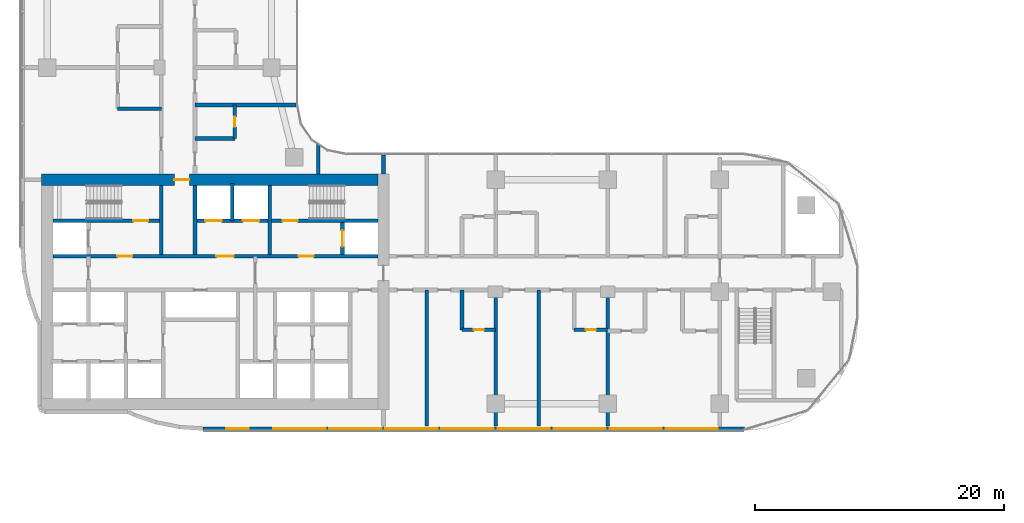
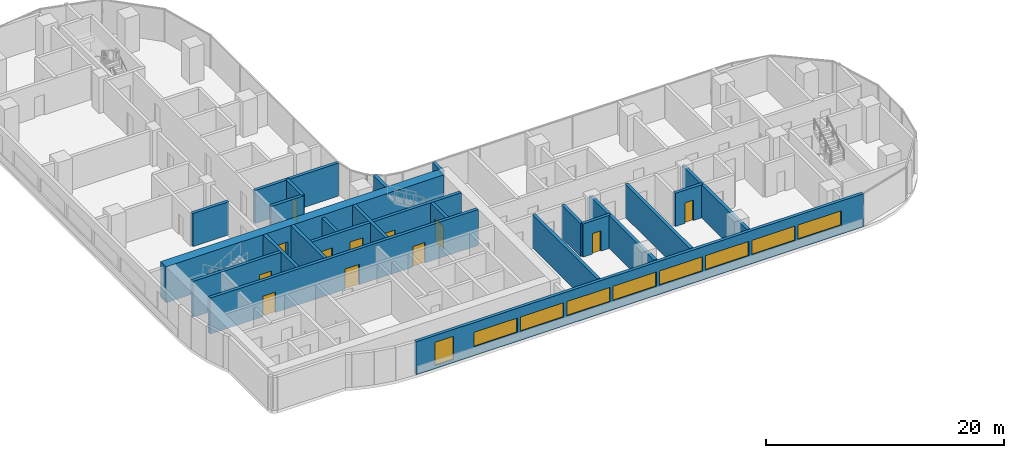
# One storey, part 17 of 32: 23 walls, 12 doors, 9 windows, 21 openings.
"""IFC4 building model written with IfcOpenShell, lengths in metres."""

from ifc_helpers import new_model, si_unit, direction, frame, frame_2d, origin, place, context, subcontext, project, spatial, rectangle, extrude, material, layer, layer_set, type_object, element, fill, save


model = new_model("IFC4")

# Units and contexts
model_context = context("Model", 3, precision=1e-05, world=origin(), true_north=direction((0.0, 1.0)))
body_context = subcontext(model_context, "Body", "Model", "MODEL_VIEW")
ifc_project = project(units=[si_unit("LENGTHUNIT", "METRE"), si_unit("AREAUNIT", "SQUARE_METRE"), si_unit("VOLUMEUNIT", "CUBIC_METRE"), si_unit("PLANEANGLEUNIT", "RADIAN"), si_unit("MASSUNIT", "GRAM", prefix="KILO")], contexts=[model_context])

# Site, building, storey
site_placement = place(None, origin())
site = spatial("IfcSite", under=ifc_project, at=site_placement, CompositionType="ELEMENT")
building_placement = place(site_placement, origin())
building = spatial("IfcBuilding", under=site, at=building_placement, Name="Ogive Portal Towers", CompositionType="ELEMENT")
storey_placement = place(building_placement, frame((0.0, 0.0, 59.39990234375)))
storey = spatial("IfcBuildingStorey", under=building, at=storey_placement, Name="L13", CompositionType="ELEMENT", Elevation=59.39990234375)

# Wall, openings, doors
ifc_material_1 = material(Name="Concrete C60/75", Category="concrete")
ifc_layer_1 = layer(ifc_material_1, 0.300048828125)
ifc_layer_set_1 = layer_set([ifc_layer_1], Name="CORE WALL 300 C60")
wall_type_1 = type_object("IfcWallType", Name="CORE WALL 300 C60", PredefinedType="SHEAR", material=ifc_layer_set_1)
wall_1_placement = place(storey_placement, frame((31.949951171875, 33.35009765625, 0.0), z_axis=(0.0, 0.0, 1.0), x_axis=(1.0, 0.0, 0.0)))
wall_1 = element("IfcWall", 1, at=wall_1_placement, inside=storey, type_object=wall_type_1, Name="Core wall Y2 L13", PredefinedType="SHEAR", context=body_context, shape_type="SweptSolid", body=[
    extrude(rectangle(XDim=26.10009765625, YDim=0.300048828125, at=frame_2d((13.050048828125, 0.0))), origin(), (0.0, 0.0, 1.0), 3.7001953125),
])
opening_1_placement = place(wall_1_placement, frame((13.125, 0.0, 0.0)))
opening_1 = element("IfcOpeningElement", 2, at=opening_1_placement, cuts=wall_1, Name="Opening D03-003", PredefinedType="OPENING", context=body_context, shape_type="SweptSolid", body=[
    extrude(rectangle(XDim=1.39990234375, YDim=2.10009765625, at=frame_2d((0.699951171875, 1.050048828125))), frame((0.0, 0.16015625, 0.0), z_axis=(0.0, -1.0, 0.0), x_axis=(1.0, 0.0, 0.0)), (0.0, 0.0, 1.0), 0.320068359375),
])
opening_2_placement = place(wall_1_placement, frame((5.175048828125, 0.0, 0.0)))
opening_2 = element("IfcOpeningElement", 3, at=opening_2_placement, cuts=wall_1, Name="Opening D03-004", PredefinedType="OPENING", context=body_context, shape_type="SweptSolid", body=[
    extrude(rectangle(XDim=1.199951171875, YDim=2.10009765625, at=frame_2d((0.60009765625, 1.050048828125))), frame((0.0, 0.16015625, 0.0), z_axis=(0.0, -1.0, 0.0), x_axis=(1.0, 0.0, 0.0)), (0.0, 0.0, 1.0), 0.320068359375),
])
opening_3_placement = place(wall_1_placement, frame((19.72509765625, 0.0, 0.0)))
opening_3 = element("IfcOpeningElement", 4, at=opening_3_placement, cuts=wall_1, Name="Opening D03-005", PredefinedType="OPENING", context=body_context, shape_type="SweptSolid", body=[
    extrude(rectangle(XDim=1.199951171875, YDim=2.10009765625, at=frame_2d((0.60009765625, 1.050048828125))), frame((0.0, 0.16015625, 0.0), z_axis=(0.0, -1.0, 0.0), x_axis=(1.0, 0.0, 0.0)), (0.0, 0.0, 1.0), 0.320068359375),
])
ifc_material_2 = material(Name="Steel fire door", Category="steel")
door_type_1 = type_object("IfcDoorType", Name="DT-SWING-1200x2100-FD90S", OperationType="SINGLE_SWING_LEFT", PredefinedType="DOOR", material=ifc_material_2)
door_1_placement = place(opening_2_placement, origin())
door_1 = element("IfcDoor", 5, at=door_1_placement, inside=storey, type_object=door_type_1, Name="Door D03-004", OperationType="SINGLE_SWING_LEFT", OverallHeight=2.10009765625, OverallWidth=1.199951171875, PredefinedType="DOOR", context=body_context, shape_type="SweptSolid", body=[
    extrude(rectangle(XDim=1.199951171875, YDim=2.10009765625, at=frame_2d((0.60009765625, 1.050048828125))), frame((0.0, 0.02490234375, 0.0), z_axis=(0.0, -1.0, 0.0), x_axis=(1.0, 0.0, 0.0)), (0.0, 0.0, 1.0), 0.050048828125),
])
fill(opening_2, door_1)
door_2_placement = place(opening_3_placement, origin())
door_2 = element("IfcDoor", 6, at=door_2_placement, inside=storey, type_object=door_type_1, Name="Door D03-005", OperationType="SINGLE_SWING_RIGHT", OverallHeight=2.10009765625, OverallWidth=1.199951171875, PredefinedType="DOOR", context=body_context, shape_type="SweptSolid", body=[
    extrude(rectangle(XDim=1.199951171875, YDim=2.10009765625, at=frame_2d((0.60009765625, 1.050048828125))), frame((0.0, 0.02490234375, 0.0), z_axis=(0.0, -1.0, 0.0), x_axis=(1.0, 0.0, 0.0)), (0.0, 0.0, 1.0), 0.050048828125),
])
fill(opening_3, door_2)
door_type_2 = type_object("IfcDoorType", Name="DT-SWING-1400x2100-FD90S", OperationType="SINGLE_SWING_LEFT", PredefinedType="DOOR", material=ifc_material_2)
door_3_placement = place(opening_1_placement, origin())
door_3 = element("IfcDoor", 7, at=door_3_placement, inside=storey, type_object=door_type_2, Name="Door D03-003", OperationType="SINGLE_SWING_RIGHT", OverallHeight=2.10009765625, OverallWidth=1.39990234375, PredefinedType="DOOR", context=body_context, shape_type="SweptSolid", body=[
    extrude(rectangle(XDim=1.39990234375, YDim=2.10009765625, at=frame_2d((0.699951171875, 1.050048828125))), frame((0.0, 0.02490234375, 0.0), z_axis=(0.0, -1.0, 0.0), x_axis=(1.0, 0.0, 0.0)), (0.0, 0.0, 1.0), 0.050048828125),
])
fill(opening_1, door_3)

# Wall, opening, door
wall_2_placement = place(storey_placement, frame((31.949951171875, 36.199951171875, 0.0), z_axis=(0.0, 0.0, 1.0), x_axis=(1.0, 0.0, 0.0)))
wall_2 = element("IfcWall", 8, at=wall_2_placement, inside=storey, type_object=wall_type_1, Name="Core wall Y3a L13", PredefinedType="SHEAR", context=body_context, shape_type="SweptSolid", body=[
    extrude(rectangle(XDim=8.550048828125, YDim=0.300048828125, at=frame_2d((4.27490234375, 0.0))), origin(), (0.0, 0.0, 1.0), 3.7001953125),
])
opening_4_placement = place(wall_2_placement, frame((6.449951171875, 0.0, 0.0)))
opening_4 = element("IfcOpeningElement", 9, at=opening_4_placement, cuts=wall_2, Name="Opening D03-006", PredefinedType="OPENING", context=body_context, shape_type="SweptSolid", body=[
    extrude(rectangle(XDim=1.199951171875, YDim=2.10009765625, at=frame_2d((0.60009765625, 1.050048828125))), frame((0.0, 0.16015625, 0.0), z_axis=(0.0, -1.0, 0.0), x_axis=(1.0, 0.0, 0.0)), (0.0, 0.0, 1.0), 0.320068359375),
])
door_4_placement = place(opening_4_placement, origin())
door_4 = element("IfcDoor", 10, at=door_4_placement, inside=storey, type_object=door_type_1, Name="Door D03-006", OperationType="SINGLE_SWING_RIGHT", OverallHeight=2.10009765625, OverallWidth=1.199951171875, PredefinedType="DOOR", context=body_context, shape_type="SweptSolid", body=[
    extrude(rectangle(XDim=1.199951171875, YDim=2.10009765625, at=frame_2d((0.60009765625, 1.050048828125))), frame((0.0, 0.02490234375, 0.0), z_axis=(0.0, -1.0, 0.0), x_axis=(1.0, 0.0, 0.0)), (0.0, 0.0, 1.0), 0.050048828125),
])
fill(opening_4, door_4)

# Wall, openings, doors
wall_3_placement = place(storey_placement, frame((43.5, 36.199951171875, 0.0), z_axis=(0.0, 0.0, 1.0), x_axis=(1.0, 0.0, 0.0)))
wall_3 = element("IfcWall", 11, at=wall_3_placement, inside=storey, type_object=wall_type_1, Name="Core wall Y3b L13", PredefinedType="SHEAR", context=body_context, shape_type="SweptSolid", body=[
    extrude(rectangle(XDim=14.550048828125, YDim=0.300048828125, at=frame_2d((7.27490234375, 0.0))), origin(), (0.0, 0.0, 1.0), 3.7001953125),
])
opening_5_placement = place(wall_3_placement, frame((6.89990234375, 0.0, 0.0)))
opening_5 = element("IfcOpeningElement", 12, at=opening_5_placement, cuts=wall_3, Name="Opening D03-007", PredefinedType="OPENING", context=body_context, shape_type="SweptSolid", body=[
    extrude(rectangle(XDim=1.199951171875, YDim=2.10009765625, at=frame_2d((0.60009765625, 1.050048828125))), frame((0.0, 0.16015625, 0.0), z_axis=(0.0, -1.0, 0.0), x_axis=(1.0, 0.0, 0.0)), (0.0, 0.0, 1.0), 0.320068359375),
])
opening_6_placement = place(wall_3_placement, frame((0.699951171875, 0.0, 0.0)))
opening_6 = element("IfcOpeningElement", 13, at=opening_6_placement, cuts=wall_3, Name="Opening D03-017", PredefinedType="OPENING", context=body_context, shape_type="SweptSolid", body=[
    extrude(rectangle(XDim=1.300048828125, YDim=2.39990234375, at=frame_2d((0.64990234375, 1.199951171875))), frame((0.0, 0.16015625, 0.0), z_axis=(0.0, -1.0, 0.0), x_axis=(1.0, 0.0, 0.0)), (0.0, 0.0, 1.0), 0.320068359375),
])
opening_7_placement = place(wall_3_placement, frame((3.699951171875, 0.0, 0.0)))
opening_7 = element("IfcOpeningElement", 14, at=opening_7_placement, cuts=wall_3, Name="Opening D03-018", PredefinedType="OPENING", context=body_context, shape_type="SweptSolid", body=[
    extrude(rectangle(XDim=1.300048828125, YDim=2.39990234375, at=frame_2d((0.64990234375, 1.199951171875))), frame((0.0, 0.16015625, 0.0), z_axis=(0.0, -1.0, 0.0), x_axis=(1.0, 0.0, 0.0)), (0.0, 0.0, 1.0), 0.320068359375),
])
ifc_material_3 = material(Name="Stainless steel", Category="steel")
door_type_3 = type_object("IfcDoorType", Name="DT-LD-1300x2400", OperationType="SLIDING_TO_LEFT", PredefinedType="DOOR", material=ifc_material_3)
door_5_placement = place(opening_6_placement, origin())
door_5 = element("IfcDoor", 15, at=door_5_placement, inside=storey, type_object=door_type_3, Name="Door D03-017", OperationType="SLIDING_TO_LEFT", OverallHeight=2.39990234375, OverallWidth=1.300048828125, PredefinedType="DOOR", context=body_context, shape_type="SweptSolid", body=[
    extrude(rectangle(XDim=1.300048828125, YDim=2.39990234375, at=frame_2d((0.64990234375, 1.199951171875))), frame((0.0, 0.02490234375, 0.0), z_axis=(0.0, -1.0, 0.0), x_axis=(1.0, 0.0, 0.0)), (0.0, 0.0, 1.0), 0.050048828125),
])
fill(opening_6, door_5)
door_6_placement = place(opening_7_placement, origin())
door_6 = element("IfcDoor", 16, at=door_6_placement, inside=storey, type_object=door_type_3, Name="Door D03-018", OperationType="SLIDING_TO_LEFT", OverallHeight=2.39990234375, OverallWidth=1.300048828125, PredefinedType="DOOR", context=body_context, shape_type="SweptSolid", body=[
    extrude(rectangle(XDim=1.300048828125, YDim=2.39990234375, at=frame_2d((0.64990234375, 1.199951171875))), frame((0.0, 0.02490234375, 0.0), z_axis=(0.0, -1.0, 0.0), x_axis=(1.0, 0.0, 0.0)), (0.0, 0.0, 1.0), 0.050048828125),
])
fill(opening_7, door_6)
door_7_placement = place(opening_5_placement, origin())
door_7 = element("IfcDoor", 17, at=door_7_placement, inside=storey, type_object=door_type_1, Name="Door D03-007", OperationType="SINGLE_SWING_LEFT", OverallHeight=2.10009765625, OverallWidth=1.199951171875, PredefinedType="DOOR", context=body_context, shape_type="SweptSolid", body=[
    extrude(rectangle(XDim=1.199951171875, YDim=2.10009765625, at=frame_2d((0.60009765625, 1.050048828125))), frame((0.0, 0.02490234375, 0.0), z_axis=(0.0, -1.0, 0.0), x_axis=(1.0, 0.0, 0.0)), (0.0, 0.0, 1.0), 0.050048828125),
])
fill(opening_5, door_7)

# Walls
for number, where, z_axis, x_axis, name in (
    (18, (40.64990234375, 33.5, 0.0), (0.0, 0.0, 1.0), (0.0, 1.0, 0.0), "Core wall X6 L13"),
    (19, (43.35009765625, 33.5, 0.0), (0.0, 0.0, 1.0), (0.0, 1.0, 0.0), "Core wall X7 L13"),
    (20, (49.35009765625, 33.5, 0.0), (0.0, 0.0, 1.0), (0.0, 1.0, 0.0), "Core wall X9 L13"),
):
    element("IfcWall", number, at=place(storey_placement, frame(where, z_axis=z_axis, x_axis=x_axis)), inside=storey, type_object=wall_type_1, Name=name, PredefinedType="SHEAR", context=body_context, shape_type="SweptSolid", body=[
        extrude(rectangle(XDim=5.550048828125, YDim=0.300048828125, at=frame_2d((2.77490234375, 0.0))), origin(), (0.0, 0.0, 1.0), 3.7001953125),
    ])

# Wall, opening, door
wall_4_placement = place(storey_placement, frame((55.199951171875, 33.5, 0.0), z_axis=(0.0, 0.0, 1.0), x_axis=(0.0, 1.0, 0.0)))
wall_4 = element("IfcWall", 21, at=wall_4_placement, inside=storey, type_object=wall_type_1, Name="Core wall X10 L13", PredefinedType="SHEAR", context=body_context, shape_type="SweptSolid", body=[
    extrude(rectangle(XDim=2.550048828125, YDim=0.300048828125, at=frame_2d((1.27490234375, 0.0))), origin(), (0.0, 0.0, 1.0), 3.7001953125),
])
opening_8_placement = place(wall_4_placement, frame((0.625, 0.0, 0.0)))
opening_8 = element("IfcOpeningElement", 22, at=opening_8_placement, cuts=wall_4, Name="Opening D03-020", PredefinedType="OPENING", context=body_context, shape_type="SweptSolid", body=[
    extrude(rectangle(XDim=1.300048828125, YDim=2.39990234375, at=frame_2d((0.64990234375, 1.199951171875))), frame((0.0, 0.16015625, 0.0), z_axis=(0.0, -1.0, 0.0), x_axis=(1.0, 0.0, 0.0)), (0.0, 0.0, 1.0), 0.320068359375),
])
door_8_placement = place(opening_8_placement, origin())
door_8 = element("IfcDoor", 23, at=door_8_placement, inside=storey, type_object=door_type_3, Name="Door D03-020", OperationType="SLIDING_TO_LEFT", OverallHeight=2.39990234375, OverallWidth=1.300048828125, PredefinedType="DOOR", context=body_context, shape_type="SweptSolid", body=[
    extrude(rectangle(XDim=1.300048828125, YDim=2.39990234375, at=frame_2d((0.64990234375, 1.199951171875))), frame((0.0, 0.02490234375, 0.0), z_axis=(0.0, -1.0, 0.0), x_axis=(1.0, 0.0, 0.0)), (0.0, 0.0, 1.0), 0.050048828125),
])
fill(opening_8, door_8)

ifc_layer_2 = layer(ifc_material_1, 0.89990234375)
ifc_layer_set_2 = layer_set([ifc_layer_2], Name="CORE WALL 900 C60")
wall_type_2 = type_object("IfcWallType", Name="CORE WALL 900 C60", PredefinedType="SHEAR", material=ifc_layer_set_2)
wall_5_placement = place(storey_placement, frame((31.050048828125, 39.5, 0.0), z_axis=(0.0, 0.0, 1.0), x_axis=(1.0, 0.0, 0.0)))
wall_5 = element("IfcWall", 24, at=wall_5_placement, inside=storey, type_object=wall_type_2, Name="Core wall N L13", PredefinedType="SHEAR", context=body_context, shape_type="SweptSolid", body=[
    extrude(rectangle(XDim=27.0, YDim=0.89990234375, at=frame_2d((13.5, 0.0))), origin(), (0.0, 0.0, 1.0), 3.7001953125),
])
opening_9_placement = place(wall_5_placement, frame((10.64990234375, 0.0, 0.0)))
opening_9 = element("IfcOpeningElement", 25, at=opening_9_placement, cuts=wall_5, Name="Opening D03-012", PredefinedType="OPENING", context=body_context, shape_type="SweptSolid", body=[
    extrude(rectangle(XDim=1.199951171875, YDim=2.10009765625, at=frame_2d((0.60009765625, 1.050048828125))), frame((0.0, 0.4599609375, 0.0), z_axis=(0.0, -1.0, 0.0), x_axis=(1.0, 0.0, 0.0)), (0.0, 0.0, 1.0), 0.919921875),
])
door_9_placement = place(opening_9_placement, origin())
door_9 = element("IfcDoor", 26, at=door_9_placement, inside=storey, type_object=door_type_1, Name="Door D03-012", OperationType="SINGLE_SWING_RIGHT", OverallHeight=2.10009765625, OverallWidth=1.199951171875, PredefinedType="DOOR", context=body_context, shape_type="SweptSolid", body=[
    extrude(rectangle(XDim=1.199951171875, YDim=2.10009765625, at=frame_2d((0.60009765625, 1.050048828125))), frame((0.0, 0.02490234375, 0.0), z_axis=(0.0, -1.0, 0.0), x_axis=(1.0, 0.0, 0.0)), (0.0, 0.0, 1.0), 0.050048828125),
])
fill(opening_9, door_9)

# Wall, openings, windows
ifc_material_4 = material(Name="Limestone cladding on lightweight block wall", Category="masonry")
ifc_layer_3 = layer(ifc_material_4, 0.300048828125)
ifc_layer_set_3 = layer_set([ifc_layer_3], Name="EXTERNAL WALL 300 STONE")
wall_type_3 = type_object("IfcWallType", Name="EXTERNAL WALL 300 STONE", PredefinedType="SOLIDWALL", material=ifc_layer_set_3)
wall_6_placement = place(storey_placement, frame((44.009765625, 19.5048828125, 0.0), z_axis=(0.0, 0.0, 1.0), x_axis=(1.0, 0.0, 0.0)))
wall_6 = element("IfcWall", 27, at=wall_6_placement, inside=storey, type_object=wall_type_3, Name="A:L13:f08:r0:wall", PredefinedType="SOLIDWALL", context=body_context, shape_type="SweptSolid", body=[
    extrude(rectangle(XDim=43.478271484375, YDim=0.300048828125, at=frame_2d((21.7392578125, 0.0))), origin(), (0.0, 0.0, 1.0), 3.400146484375),
])
opening_10_placement = place(wall_6_placement, frame((1.844970703125, 0.0, 0.300048828125)))
opening_10 = element("IfcOpeningElement", 28, at=opening_10_placement, cuts=wall_6, Name="Opening WN10", PredefinedType="OPENING", context=body_context, shape_type="SweptSolid", body=[
    extrude(rectangle(XDim=1.800048828125, YDim=2.39990234375, at=frame_2d((0.89990234375, 1.199951171875))), frame((0.0, 0.16015625, 0.0), z_axis=(0.0, -1.0, 0.0), x_axis=(1.0, 0.0, 0.0)), (0.0, 0.0, 1.0), 0.320068359375),
])
opening_11_placement = place(wall_6_placement, frame((5.64013671875, 0.0, 0.89990234375)))
opening_11 = element("IfcOpeningElement", 29, at=opening_11_placement, cuts=wall_6, Name="Opening WN11", PredefinedType="OPENING", context=body_context, shape_type="SweptSolid", body=[
    extrude(rectangle(XDim=4.199951171875, YDim=1.5, at=frame_2d((2.10009765625, 0.75))), frame((0.0, 0.16015625, 0.0), z_axis=(0.0, -1.0, 0.0), x_axis=(1.0, 0.0, 0.0)), (0.0, 0.0, 1.0), 0.320068359375),
])
opening_12_placement = place(wall_6_placement, frame((10.14013671875, 0.0, 0.89990234375)))
opening_12 = element("IfcOpeningElement", 30, at=opening_12_placement, cuts=wall_6, Name="Opening WN11", PredefinedType="OPENING", context=body_context, shape_type="SweptSolid", body=[
    extrude(rectangle(XDim=4.199951171875, YDim=1.5, at=frame_2d((2.10009765625, 0.75))), frame((0.0, 0.16015625, 0.0), z_axis=(0.0, -1.0, 0.0), x_axis=(1.0, 0.0, 0.0)), (0.0, 0.0, 1.0), 0.320068359375),
])
opening_13_placement = place(wall_6_placement, frame((14.64013671875, 0.0, 0.89990234375)))
opening_13 = element("IfcOpeningElement", 31, at=opening_13_placement, cuts=wall_6, Name="Opening WN11", PredefinedType="OPENING", context=body_context, shape_type="SweptSolid", body=[
    extrude(rectangle(XDim=4.199951171875, YDim=1.5, at=frame_2d((2.10009765625, 0.75))), frame((0.0, 0.16015625, 0.0), z_axis=(0.0, -1.0, 0.0), x_axis=(1.0, 0.0, 0.0)), (0.0, 0.0, 1.0), 0.320068359375),
])
opening_14_placement = place(wall_6_placement, frame((19.14013671875, 0.0, 0.89990234375)))
opening_14 = element("IfcOpeningElement", 32, at=opening_14_placement, cuts=wall_6, Name="Opening WN11", PredefinedType="OPENING", context=body_context, shape_type="SweptSolid", body=[
    extrude(rectangle(XDim=4.199951171875, YDim=1.5, at=frame_2d((2.10009765625, 0.75))), frame((0.0, 0.16015625, 0.0), z_axis=(0.0, -1.0, 0.0), x_axis=(1.0, 0.0, 0.0)), (0.0, 0.0, 1.0), 0.320068359375),
])
opening_15_placement = place(wall_6_placement, frame((23.64013671875, 0.0, 0.89990234375)))
opening_15 = element("IfcOpeningElement", 33, at=opening_15_placement, cuts=wall_6, Name="Opening WN11", PredefinedType="OPENING", context=body_context, shape_type="SweptSolid", body=[
    extrude(rectangle(XDim=4.199951171875, YDim=1.5, at=frame_2d((2.10009765625, 0.75))), frame((0.0, 0.16015625, 0.0), z_axis=(0.0, -1.0, 0.0), x_axis=(1.0, 0.0, 0.0)), (0.0, 0.0, 1.0), 0.320068359375),
])
opening_16_placement = place(wall_6_placement, frame((28.14013671875, 0.0, 0.89990234375)))
opening_16 = element("IfcOpeningElement", 34, at=opening_16_placement, cuts=wall_6, Name="Opening WN11", PredefinedType="OPENING", context=body_context, shape_type="SweptSolid", body=[
    extrude(rectangle(XDim=4.199951171875, YDim=1.5, at=frame_2d((2.10009765625, 0.75))), frame((0.0, 0.16015625, 0.0), z_axis=(0.0, -1.0, 0.0), x_axis=(1.0, 0.0, 0.0)), (0.0, 0.0, 1.0), 0.320068359375),
])
opening_17_placement = place(wall_6_placement, frame((32.64013671875, 0.0, 0.89990234375)))
opening_17 = element("IfcOpeningElement", 35, at=opening_17_placement, cuts=wall_6, Name="Opening WN11", PredefinedType="OPENING", context=body_context, shape_type="SweptSolid", body=[
    extrude(rectangle(XDim=4.199951171875, YDim=1.5, at=frame_2d((2.10009765625, 0.75))), frame((0.0, 0.16015625, 0.0), z_axis=(0.0, -1.0, 0.0), x_axis=(1.0, 0.0, 0.0)), (0.0, 0.0, 1.0), 0.320068359375),
])
opening_18_placement = place(wall_6_placement, frame((37.14013671875, 0.0, 0.89990234375)))
opening_18 = element("IfcOpeningElement", 36, at=opening_18_placement, cuts=wall_6, Name="Opening WN11", PredefinedType="OPENING", context=body_context, shape_type="SweptSolid", body=[
    extrude(rectangle(XDim=4.199951171875, YDim=1.5, at=frame_2d((2.10009765625, 0.75))), frame((0.0, 0.16015625, 0.0), z_axis=(0.0, -1.0, 0.0), x_axis=(1.0, 0.0, 0.0)), (0.0, 0.0, 1.0), 0.320068359375),
])
ifc_material_5 = material(Name="Glass, clear low-iron insulated glazing", Category="glass")
window_type_1 = type_object("IfcWindowType", Name="WINDOW RIBBON 4200x1500", PartitioningType="TRIPLE_PANEL_VERTICAL", PredefinedType="WINDOW", material=ifc_material_5)
window_1_placement = place(opening_11_placement, origin())
window_1 = element("IfcWindow", 37, at=window_1_placement, inside=storey, type_object=window_type_1, Name="A:L13:f08:r0:w1", OverallHeight=1.5, OverallWidth=4.199951171875, PartitioningType="SINGLE_PANEL", PredefinedType="WINDOW", context=body_context, shape_type="SweptSolid", body=[
    extrude(rectangle(XDim=4.199951171875, YDim=1.5, at=frame_2d((2.10009765625, 0.75))), frame((0.0, 0.030029296875, 0.0), z_axis=(0.0, -1.0, 0.0), x_axis=(1.0, 0.0, 0.0)), (0.0, 0.0, 1.0), 0.06005859375),
])
fill(opening_11, window_1)
window_2_placement = place(opening_12_placement, origin())
window_2 = element("IfcWindow", 38, at=window_2_placement, inside=storey, type_object=window_type_1, Name="A:L13:f08:r0:w2", OverallHeight=1.5, OverallWidth=4.199951171875, PartitioningType="SINGLE_PANEL", PredefinedType="WINDOW", context=body_context, shape_type="SweptSolid", body=[
    extrude(rectangle(XDim=4.199951171875, YDim=1.5, at=frame_2d((2.10009765625, 0.75))), frame((0.0, 0.030029296875, 0.0), z_axis=(0.0, -1.0, 0.0), x_axis=(1.0, 0.0, 0.0)), (0.0, 0.0, 1.0), 0.06005859375),
])
fill(opening_12, window_2)
window_3_placement = place(opening_13_placement, origin())
window_3 = element("IfcWindow", 39, at=window_3_placement, inside=storey, type_object=window_type_1, Name="A:L13:f08:r0:w3", OverallHeight=1.5, OverallWidth=4.199951171875, PartitioningType="SINGLE_PANEL", PredefinedType="WINDOW", context=body_context, shape_type="SweptSolid", body=[
    extrude(rectangle(XDim=4.199951171875, YDim=1.5, at=frame_2d((2.10009765625, 0.75))), frame((0.0, 0.030029296875, 0.0), z_axis=(0.0, -1.0, 0.0), x_axis=(1.0, 0.0, 0.0)), (0.0, 0.0, 1.0), 0.06005859375),
])
fill(opening_13, window_3)
window_4_placement = place(opening_14_placement, origin())
window_4 = element("IfcWindow", 40, at=window_4_placement, inside=storey, type_object=window_type_1, Name="A:L13:f08:r0:w4", OverallHeight=1.5, OverallWidth=4.199951171875, PartitioningType="SINGLE_PANEL", PredefinedType="WINDOW", context=body_context, shape_type="SweptSolid", body=[
    extrude(rectangle(XDim=4.199951171875, YDim=1.5, at=frame_2d((2.10009765625, 0.75))), frame((0.0, 0.030029296875, 0.0), z_axis=(0.0, -1.0, 0.0), x_axis=(1.0, 0.0, 0.0)), (0.0, 0.0, 1.0), 0.06005859375),
])
fill(opening_14, window_4)
window_5_placement = place(opening_15_placement, origin())
window_5 = element("IfcWindow", 41, at=window_5_placement, inside=storey, type_object=window_type_1, Name="A:L13:f08:r0:w5", OverallHeight=1.5, OverallWidth=4.199951171875, PartitioningType="SINGLE_PANEL", PredefinedType="WINDOW", context=body_context, shape_type="SweptSolid", body=[
    extrude(rectangle(XDim=4.199951171875, YDim=1.5, at=frame_2d((2.10009765625, 0.75))), frame((0.0, 0.030029296875, 0.0), z_axis=(0.0, -1.0, 0.0), x_axis=(1.0, 0.0, 0.0)), (0.0, 0.0, 1.0), 0.06005859375),
])
fill(opening_15, window_5)
window_6_placement = place(opening_16_placement, origin())
window_6 = element("IfcWindow", 42, at=window_6_placement, inside=storey, type_object=window_type_1, Name="A:L13:f08:r0:w6", OverallHeight=1.5, OverallWidth=4.199951171875, PartitioningType="SINGLE_PANEL", PredefinedType="WINDOW", context=body_context, shape_type="SweptSolid", body=[
    extrude(rectangle(XDim=4.199951171875, YDim=1.5, at=frame_2d((2.10009765625, 0.75))), frame((0.0, 0.030029296875, 0.0), z_axis=(0.0, -1.0, 0.0), x_axis=(1.0, 0.0, 0.0)), (0.0, 0.0, 1.0), 0.06005859375),
])
fill(opening_16, window_6)
window_7_placement = place(opening_17_placement, origin())
window_7 = element("IfcWindow", 43, at=window_7_placement, inside=storey, type_object=window_type_1, Name="A:L13:f08:r0:w7", OverallHeight=1.5, OverallWidth=4.199951171875, PartitioningType="SINGLE_PANEL", PredefinedType="WINDOW", context=body_context, shape_type="SweptSolid", body=[
    extrude(rectangle(XDim=4.199951171875, YDim=1.5, at=frame_2d((2.10009765625, 0.75))), frame((0.0, 0.030029296875, 0.0), z_axis=(0.0, -1.0, 0.0), x_axis=(1.0, 0.0, 0.0)), (0.0, 0.0, 1.0), 0.06005859375),
])
fill(opening_17, window_7)
window_8_placement = place(opening_18_placement, origin())
window_8 = element("IfcWindow", 44, at=window_8_placement, inside=storey, type_object=window_type_1, Name="A:L13:f08:r0:w8", OverallHeight=1.5, OverallWidth=4.199951171875, PartitioningType="SINGLE_PANEL", PredefinedType="WINDOW", context=body_context, shape_type="SweptSolid", body=[
    extrude(rectangle(XDim=4.199951171875, YDim=1.5, at=frame_2d((2.10009765625, 0.75))), frame((0.0, 0.030029296875, 0.0), z_axis=(0.0, -1.0, 0.0), x_axis=(1.0, 0.0, 0.0)), (0.0, 0.0, 1.0), 0.06005859375),
])
fill(opening_18, window_8)
window_type_2 = type_object("IfcWindowType", Name="WINDOW SUITE CORNER 1800x2400", PartitioningType="DOUBLE_PANEL_VERTICAL", PredefinedType="WINDOW", material=ifc_material_5)
window_9_placement = place(opening_10_placement, origin())
window_9 = element("IfcWindow", 45, at=window_9_placement, inside=storey, type_object=window_type_2, Name="A:L13:f08:r0:w0", OverallHeight=2.39990234375, OverallWidth=1.800048828125, PartitioningType="SINGLE_PANEL", PredefinedType="WINDOW", context=body_context, shape_type="SweptSolid", body=[
    extrude(rectangle(XDim=1.800048828125, YDim=2.39990234375, at=frame_2d((0.89990234375, 1.199951171875))), frame((0.0, 0.030029296875, 0.0), z_axis=(0.0, -1.0, 0.0), x_axis=(1.0, 0.0, 0.0)), (0.0, 0.0, 1.0), 0.06005859375),
])
fill(opening_10, window_9)

# Wall, opening, door
ifc_material_6 = material(Name="Gypsum board partition on steel studs", Category="steel")
ifc_layer_4 = layer(ifc_material_6, 0.300048828125)
ifc_layer_set_4 = layer_set([ifc_layer_4], Name="WT-PART-300-EI 60")
wall_type_4 = type_object("IfcWallType", Name="WT-PART-300-EI 60", PredefinedType="PARTITIONING", material=ifc_layer_set_4)
wall_7_placement = place(storey_placement, frame((64.800048828125, 27.449951171875, 0.0), z_axis=(0.0, 0.0, 1.0), x_axis=(1.0, 0.0, 0.0)))
wall_7 = element("IfcWall", 46, at=wall_7_placement, inside=storey, type_object=wall_type_4, Name="Wall L13:w004", PredefinedType="PARTITIONING", context=body_context, shape_type="SweptSolid", body=[
    extrude(rectangle(XDim=2.699951171875, YDim=0.300048828125, at=frame_2d((1.35009765625, 0.0))), origin(), (0.0, 0.0, 1.0), 3.400146484375),
])
opening_19_placement = place(wall_7_placement, frame((0.949951171875, 0.0, 0.0)))
opening_19 = element("IfcOpeningElement", 47, at=opening_19_placement, cuts=wall_7, Name="Opening D03-030", PredefinedType="OPENING", context=body_context, shape_type="SweptSolid", body=[
    extrude(rectangle(XDim=0.800048828125, YDim=2.10009765625, at=frame_2d((0.39990234375, 1.050048828125))), frame((0.0, 0.16015625, 0.0), z_axis=(0.0, -1.0, 0.0), x_axis=(1.0, 0.0, 0.0)), (0.0, 0.0, 1.0), 0.320068359375),
])
door_type_4 = type_object("IfcDoorType", Name="DT-BATH-800x2100-FD60S", OperationType="SINGLE_SWING_LEFT", PredefinedType="DOOR", material=ifc_material_2)
door_10_placement = place(opening_19_placement, origin())
door_10 = element("IfcDoor", 48, at=door_10_placement, inside=storey, type_object=door_type_4, Name="Door D03-030", OperationType="SINGLE_SWING_RIGHT", OverallHeight=2.10009765625, OverallWidth=0.800048828125, PredefinedType="DOOR", context=body_context, shape_type="SweptSolid", body=[
    extrude(rectangle(XDim=0.800048828125, YDim=2.10009765625, at=frame_2d((0.39990234375, 1.050048828125))), frame((0.0, 0.02490234375, 0.0), z_axis=(0.0, -1.0, 0.0), x_axis=(1.0, 0.0, 0.0)), (0.0, 0.0, 1.0), 0.050048828125),
])
fill(opening_19, door_10)

wall_8_placement = place(storey_placement, frame((73.800048828125, 27.449951171875, 0.0), z_axis=(0.0, 0.0, 1.0), x_axis=(1.0, 0.0, 0.0)))
wall_8 = element("IfcWall", 49, at=wall_8_placement, inside=storey, type_object=wall_type_4, Name="Wall L13:w005", PredefinedType="PARTITIONING", context=body_context, shape_type="SweptSolid", body=[
    extrude(rectangle(XDim=2.699951171875, YDim=0.300048828125, at=frame_2d((1.35009765625, 0.0))), origin(), (0.0, 0.0, 1.0), 3.400146484375),
])
opening_20_placement = place(wall_8_placement, frame((0.949951171875, 0.0, 0.0)))
opening_20 = element("IfcOpeningElement", 50, at=opening_20_placement, cuts=wall_8, Name="Opening D03-035", PredefinedType="OPENING", context=body_context, shape_type="SweptSolid", body=[
    extrude(rectangle(XDim=0.800048828125, YDim=2.10009765625, at=frame_2d((0.39990234375, 1.050048828125))), frame((0.0, 0.16015625, 0.0), z_axis=(0.0, -1.0, 0.0), x_axis=(1.0, 0.0, 0.0)), (0.0, 0.0, 1.0), 0.320068359375),
])
door_11_placement = place(opening_20_placement, origin())
door_11 = element("IfcDoor", 51, at=door_11_placement, inside=storey, type_object=door_type_4, Name="Door D03-035", OperationType="SINGLE_SWING_LEFT", OverallHeight=2.10009765625, OverallWidth=0.800048828125, PredefinedType="DOOR", context=body_context, shape_type="SweptSolid", body=[
    extrude(rectangle(XDim=0.800048828125, YDim=2.10009765625, at=frame_2d((0.39990234375, 1.050048828125))), frame((0.0, 0.02490234375, 0.0), z_axis=(0.0, -1.0, 0.0), x_axis=(1.0, 0.0, 0.0)), (0.0, 0.0, 1.0), 0.050048828125),
])
fill(opening_20, door_11)

# Walls
wall_9_placement = place(storey_placement, frame((43.35009765625, 42.800048828125, 0.0), z_axis=(0.0, 0.0, 1.0), x_axis=(1.0, 0.0, 0.0)))
element("IfcWall", 52, at=wall_9_placement, inside=storey, type_object=wall_type_4, Name="Wall L13:w015", PredefinedType="PARTITIONING", context=body_context, shape_type="SweptSolid", body=[
    extrude(rectangle(XDim=3.199951171875, YDim=0.300048828125, at=frame_2d((1.60009765625, 0.0))), origin(), (0.0, 0.0, 1.0), 3.400146484375),
])
wall_10_placement = place(storey_placement, frame((37.14990234375, 45.199951171875, 0.0), z_axis=(0.0, 0.0, 1.0), x_axis=(1.0, 0.0, 0.0)))
element("IfcWall", 53, at=wall_10_placement, inside=storey, type_object=wall_type_4, Name="Wall L13:w016", PredefinedType="PARTITIONING", context=body_context, shape_type="SweptSolid", body=[
    extrude(rectangle(XDim=3.5, YDim=0.300048828125, at=frame_2d((1.75, 0.0))), origin(), (0.0, 0.0, 1.0), 3.400146484375),
])
wall_11_placement = place(storey_placement, frame((43.35009765625, 45.5, 0.0), z_axis=(0.0, 0.0, 1.0), x_axis=(1.0, 0.0, 0.0)))
element("IfcWall", 54, at=wall_11_placement, inside=storey, type_object=wall_type_4, Name="Wall L13:w017", PredefinedType="PARTITIONING", context=body_context, shape_type="SweptSolid", body=[
    extrude(rectangle(XDim=8.125, YDim=0.300048828125, at=frame_2d((4.0625, 0.0))), origin(), (0.0, 0.0, 1.0), 3.400146484375),
])

# Wall, opening, door
wall_12_placement = place(storey_placement, frame((46.550048828125, 42.800048828125, 0.0), z_axis=(0.0, 0.0, 1.0), x_axis=(0.0, 1.0, 0.0)))
wall_12 = element("IfcWall", 55, at=wall_12_placement, inside=storey, type_object=wall_type_4, Name="Wall L13:w038", PredefinedType="PARTITIONING", context=body_context, shape_type="SweptSolid", body=[
    extrude(rectangle(XDim=2.699951171875, YDim=0.300048828125, at=frame_2d((1.35009765625, 0.0))), origin(), (0.0, 0.0, 1.0), 3.400146484375),
])
opening_21_placement = place(wall_12_placement, frame((0.949951171875, 0.0, 0.0)))
opening_21 = element("IfcOpeningElement", 56, at=opening_21_placement, cuts=wall_12, Name="Opening D03-043", PredefinedType="OPENING", context=body_context, shape_type="SweptSolid", body=[
    extrude(rectangle(XDim=0.800048828125, YDim=2.10009765625, at=frame_2d((0.39990234375, 1.050048828125))), frame((0.0, 0.16015625, 0.0), z_axis=(0.0, -1.0, 0.0), x_axis=(1.0, 0.0, 0.0)), (0.0, 0.0, 1.0), 0.320068359375),
])
door_12_placement = place(opening_21_placement, origin())
door_12 = element("IfcDoor", 57, at=door_12_placement, inside=storey, type_object=door_type_4, Name="Door D03-043", OperationType="SINGLE_SWING_LEFT", OverallHeight=2.10009765625, OverallWidth=0.800048828125, PredefinedType="DOOR", context=body_context, shape_type="SweptSolid", body=[
    extrude(rectangle(XDim=0.800048828125, YDim=2.10009765625, at=frame_2d((0.39990234375, 1.050048828125))), frame((0.0, 0.02490234375, 0.0), z_axis=(0.0, -1.0, 0.0), x_axis=(1.0, 0.0, 0.0)), (0.0, 0.0, 1.0), 0.050048828125),
])
fill(opening_21, door_12)

# Walls
wall_13_placement = place(storey_placement, frame((53.25, 39.949951171875, 0.0), z_axis=(0.0, 0.0, 1.0), x_axis=(0.0, 1.0, 0.0)))
element("IfcWall", 58, at=wall_13_placement, inside=storey, type_object=wall_type_4, Name="Wall L13:w042", PredefinedType="PARTITIONING", context=body_context, shape_type="SweptSolid", body=[
    extrude(rectangle(XDim=2.3759765625, YDim=0.300048828125, at=frame_2d((1.18798828125, 0.0))), origin(), (0.0, 0.0, 1.0), 3.400146484375),
])
wall_14_placement = place(storey_placement, frame((58.5, 39.949951171875, 0.0), z_axis=(0.0, 0.0, 1.0), x_axis=(0.0, 1.0, 0.0)))
element("IfcWall", 59, at=wall_14_placement, inside=storey, type_object=wall_type_4, Name="Wall L13:w044", PredefinedType="PARTITIONING", context=body_context, shape_type="SweptSolid", body=[
    extrude(rectangle(XDim=1.525146484375, YDim=0.300048828125, at=frame_2d((0.7626953125, 0.0))), origin(), (0.0, 0.0, 1.0), 3.400146484375),
])
wall_15_placement = place(storey_placement, frame((61.969970703125, 19.705078125, 0.0), z_axis=(0.0, 0.0, 1.0), x_axis=(0.0, 1.0, 0.0)))
element("IfcWall", 60, at=wall_15_placement, inside=storey, type_object=wall_type_4, Name="Wall L13:w045", PredefinedType="PARTITIONING", context=body_context, shape_type="SweptSolid", body=[
    extrude(rectangle(XDim=10.94482421875, YDim=0.300048828125, at=frame_2d((5.472412109375, 0.0))), origin(), (0.0, 0.0, 1.0), 3.400146484375),
])
wall_16_placement = place(storey_placement, frame((64.800048828125, 27.449951171875, 0.0), z_axis=(0.0, 0.0, 1.0), x_axis=(0.0, 1.0, 0.0)))
element("IfcWall", 61, at=wall_16_placement, inside=storey, type_object=wall_type_4, Name="Wall L13:w047", PredefinedType="PARTITIONING", context=body_context, shape_type="SweptSolid", body=[
    extrude(rectangle(XDim=3.199951171875, YDim=0.300048828125, at=frame_2d((1.60009765625, 0.0))), origin(), (0.0, 0.0, 1.0), 3.400146484375),
])
for number, where, z_axis, x_axis, name in (
    (62, (67.5, 19.705078125, 0.0), (0.0, 0.0, 1.0), (0.0, 1.0, 0.0), "Wall L13:w049"),
    (63, (70.969970703125, 19.705078125, 0.0), (0.0, 0.0, 1.0), (0.0, 1.0, 0.0), "Wall L13:w052"),
    (64, (76.5, 19.705078125, 0.0), (0.0, 0.0, 1.0), (0.0, 1.0, 0.0), "Wall L13:w054"),
):
    element("IfcWall", number, at=place(storey_placement, frame(where, z_axis=z_axis, x_axis=x_axis)), inside=storey, type_object=wall_type_4, Name=name, PredefinedType="PARTITIONING", context=body_context, shape_type="SweptSolid", body=[
        extrude(rectangle(XDim=10.94482421875, YDim=0.300048828125, at=frame_2d((5.472412109375, 0.0))), origin(), (0.0, 0.0, 1.0), 3.400146484375),
    ])
ifc_material_7 = material(Name="Concrete C40/50", Category="concrete")
ifc_layer_5 = layer(ifc_material_7, 0.300048828125)
ifc_layer_set_5 = layer_set([ifc_layer_5], Name="WT-SHAFT-300")
wall_type_5 = type_object("IfcWallType", Name="WT-SHAFT-300", PredefinedType="SOLIDWALL", material=ifc_layer_set_5)
wall_17_placement = place(storey_placement, frame((46.35009765625, 36.199951171875, 0.0), z_axis=(0.0, 0.0, 1.0), x_axis=(0.0, 1.0, 0.0)))
element("IfcWall", 65, at=wall_17_placement, inside=storey, type_object=wall_type_5, Name="Wall pw:009:L13", PredefinedType="SOLIDWALL", context=body_context, shape_type="SweptSolid", body=[
    extrude(rectangle(XDim=3.0, YDim=0.300048828125, at=frame_2d((1.5, 0.0))), origin(), (0.0, 0.0, 1.0), 3.400146484375),
])

save(model, "model.ifc")
